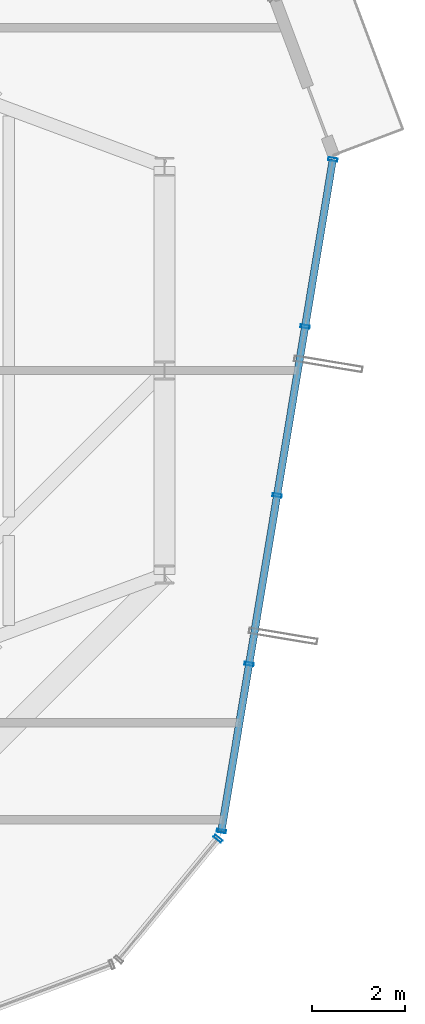
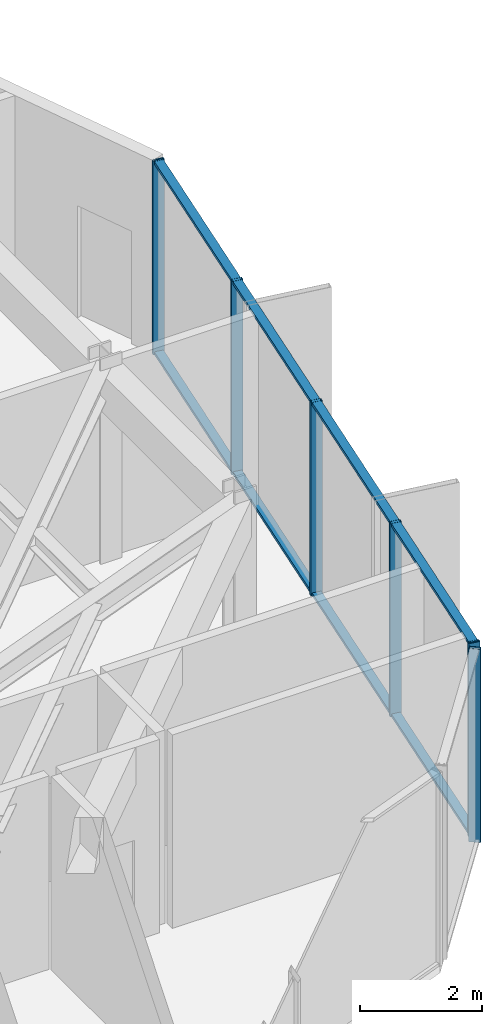
# One storey, part 13 of 22: 8 members, 2 elements without a shape of their own.
"""IFC4 building model written with IfcOpenShell, lengths in metres."""

from ifc_helpers import new_model, si_unit, direction, frame, origin, origin_2d, place, context, subcontext, project, spatial, hollow_rectangle, extrude, source, transform, mapped, material, layer, layer_set, material_profile, profile_set, type_object, element, aggregate, save


model = new_model("IFC4")

# Units and contexts
model_context = context("Model", 3, precision=1e-05, world=origin(), true_north=direction((0.0, 1.0)))
body_context = subcontext(model_context, "Body", "Model", "MODEL_VIEW")
ifc_project = project(units=[si_unit("LENGTHUNIT", "METRE"), si_unit("AREAUNIT", "SQUARE_METRE"), si_unit("VOLUMEUNIT", "CUBIC_METRE"), si_unit("PLANEANGLEUNIT", "RADIAN"), si_unit("MASSUNIT", "GRAM", prefix="KILO")], contexts=[model_context])

# Site, building, storey
site_placement = place(None, origin())
site = spatial("IfcSite", under=ifc_project, at=site_placement, CompositionType="ELEMENT")
building_placement = place(site_placement, origin())
building = spatial("IfcBuilding", under=site, at=building_placement, Name="Veraguas Prism Commons", CompositionType="ELEMENT")
storey_placement = place(building_placement, frame((0.0, 0.0, 240.64990234375)))
storey = spatial("IfcBuildingStorey", under=building, at=storey_placement, Name="L68", CompositionType="ELEMENT", Elevation=240.64990234375)

# Curtain wall, members
ifc_material = material(Name="Anodised aluminium EN AW-6063 T6", Category="aluminium")
ifc_layer = layer(ifc_material, 0.199951171875, Name="Sky Lobby and Pool Acoustic Curtain Wall", Category="aluminium")
ifc_layer_set = layer_set([ifc_layer], Name="Anodised aluminium EN AW-6063 T6")
curtain_wall_type = type_object("IfcCurtainWallType", Name="Sky Lobby and Pool Acoustic Curtain Wall", PredefinedType="NOTDEFINED", material=ifc_layer_set)
curtain_wall_1_placement = place(storey_placement, origin())
curtain_wall_1 = element("IfcCurtainWall", 1, at=curtain_wall_1_placement, inside=storey, type_object=curtain_wall_type, Name="Tower Facade Curtain Wall L68-F6", PredefinedType="NOTDEFINED")
ifc_material_profile_1 = material_profile(ifc_material, hollow_rectangle(XDim=0.06494140625, YDim=0.199951171875, WallThickness=0.00390625, at=origin_2d()), Name="AL65X200X4")
ifc_profile_set_1 = profile_set([ifc_material_profile_1], Name="Anodised aluminium EN AW-6063 T6")
member_type_1 = type_object("IfcMemberType", Name="Curtain Wall Mullion Heavy AL 65x200x4", PredefinedType="MULLION", material=ifc_profile_set_1)
shared_shape_1 = source(origin(), body_context, "Body", "SweptSolid", [
    extrude(hollow_rectangle(XDim=0.06494140625, YDim=0.199951171875, WallThickness=0.00390625, at=origin_2d()), origin(), (0.0, 0.0, 1.0), 3.864990234375),
])
member_1_placement = place(storey_placement, frame((39.029541015625, 14.055419921875, 0.0), z_axis=(0.0, 0.0, 1.0), x_axis=(0.163670330935, 0.986515089987, 0.0)))
member_1 = element("IfcMember", 2, at=member_1_placement, type_object=member_type_1, Name="CW-SKY Mullion 1", PredefinedType="MULLION", context=body_context, shape_type="MappedRepresentation", body=[
    mapped(shared_shape_1, transform((0.0, 0.0, 0.0), scale=1.0)),
])
member_2_placement = place(storey_placement, frame((39.62841796875, 17.6650390625, 0.0), z_axis=(0.0, 0.0, 1.0), x_axis=(0.163670330935, 0.986515089987, 0.0)))
member_2 = element("IfcMember", 3, at=member_2_placement, type_object=member_type_1, Name="CW-SKY Mullion 2", PredefinedType="MULLION", context=body_context, shape_type="MappedRepresentation", body=[
    mapped(shared_shape_1, transform((0.0, 0.0, 0.0), scale=1.0)),
])
member_3_placement = place(storey_placement, frame((40.232666015625, 21.306884765625, 0.0), z_axis=(0.0, 0.0, 1.0), x_axis=(0.163670330935, 0.986515089987, 0.0)))
member_3 = element("IfcMember", 4, at=member_3_placement, type_object=member_type_1, Name="CW-SKY Mullion 3", PredefinedType="MULLION", context=body_context, shape_type="MappedRepresentation", body=[
    mapped(shared_shape_1, transform((0.0, 0.0, 0.0), scale=1.0)),
])
member_4_placement = place(storey_placement, frame((40.8369140625, 24.94873046875, 0.0), z_axis=(0.0, 0.0, 1.0), x_axis=(0.163670330935, 0.986515089987, 0.0)))
member_4 = element("IfcMember", 5, at=member_4_placement, type_object=member_type_1, Name="CW-SKY Mullion 4", PredefinedType="MULLION", context=body_context, shape_type="MappedRepresentation", body=[
    mapped(shared_shape_1, transform((0.0, 0.0, 0.0), scale=1.0)),
])
member_5_placement = place(storey_placement, frame((41.435791015625, 28.558349609375, 0.0), z_axis=(0.0, 0.0, 1.0), x_axis=(0.163670330935, 0.986515089987, 0.0)))
member_5 = element("IfcMember", 6, at=member_5_placement, type_object=member_type_1, Name="CW-SKY Mullion 5", PredefinedType="MULLION", context=body_context, shape_type="MappedRepresentation", body=[
    mapped(shared_shape_1, transform((0.0, 0.0, 0.0), scale=1.0)),
])

# Curtain wall, member
curtain_wall_2_placement = place(storey_placement, origin())
curtain_wall_2 = element("IfcCurtainWall", 7, at=curtain_wall_2_placement, inside=storey, type_object=curtain_wall_type, Name="Chamfer Curtain Wall L68-C6", PredefinedType="NOTDEFINED")
member_6_placement = place(storey_placement, frame((38.95556640625, 13.892578125, 0.0), z_axis=(0.0, 0.0, 1.0), x_axis=(0.63501234394, 0.772501989023, 0.0)))
member_6 = element("IfcMember", 8, at=member_6_placement, type_object=member_type_1, Name="CW-SKY Mullion 2", PredefinedType="MULLION", context=body_context, shape_type="MappedRepresentation", body=[
    mapped(shared_shape_1, transform((0.0, 0.0, 0.0), scale=1.0)),
])
aggregate(curtain_wall_2, [member_6])

# Member
ifc_material_profile_2 = material_profile(ifc_material, hollow_rectangle(XDim=0.06005859375, YDim=0.159912109375, WallThickness=0.0029296875, at=origin_2d()), Name="AL60X160X3")
ifc_profile_set_2 = profile_set([ifc_material_profile_2], Name="Anodised aluminium EN AW-6063 T6")
member_type_2 = type_object("IfcMemberType", Name="Curtain Wall Transom Heavy AL 60x160x3", PredefinedType="USERDEFINED", material=ifc_profile_set_2)
shared_shape_2 = source(origin(), body_context, "Body", "SweptSolid", [
    extrude(hollow_rectangle(XDim=0.06005859375, YDim=0.159912109375, WallThickness=0.0029296875, at=origin_2d()), origin(), (0.0, 0.0, 1.0), 14.701171875),
])
member_7_placement = place(storey_placement, frame((39.029541015625, 14.055419921875, 0.030029296875), z_axis=(0.163677218114, 0.986513947327, 0.0), x_axis=(0.0, 0.0, 1.0)))
member_7 = element("IfcMember", 9, at=member_7_placement, type_object=member_type_2, Name="CW-SKY Transom 1", ObjectType="TRANSOM", PredefinedType="USERDEFINED", context=body_context, shape_type="MappedRepresentation", body=[
    mapped(shared_shape_2, transform((0.0, 0.0, 0.0), scale=1.0)),
])

member_8_placement = place(storey_placement, frame((39.029541015625, 14.055419921875, 3.835205078125), z_axis=(0.163677218114, 0.986513947327, 0.0), x_axis=(0.0, 0.0, 1.0)))
member_8 = element("IfcMember", 10, at=member_8_placement, type_object=member_type_2, Name="CW-SKY Transom 2", ObjectType="TRANSOM", PredefinedType="USERDEFINED", context=body_context, shape_type="MappedRepresentation", body=[
    mapped(shared_shape_2, transform((0.0, 0.0, 0.0), scale=1.0)),
])

aggregate(curtain_wall_1, [member_1, member_2, member_3, member_4, member_5, member_7, member_8])

save(model, "model.ifc")
